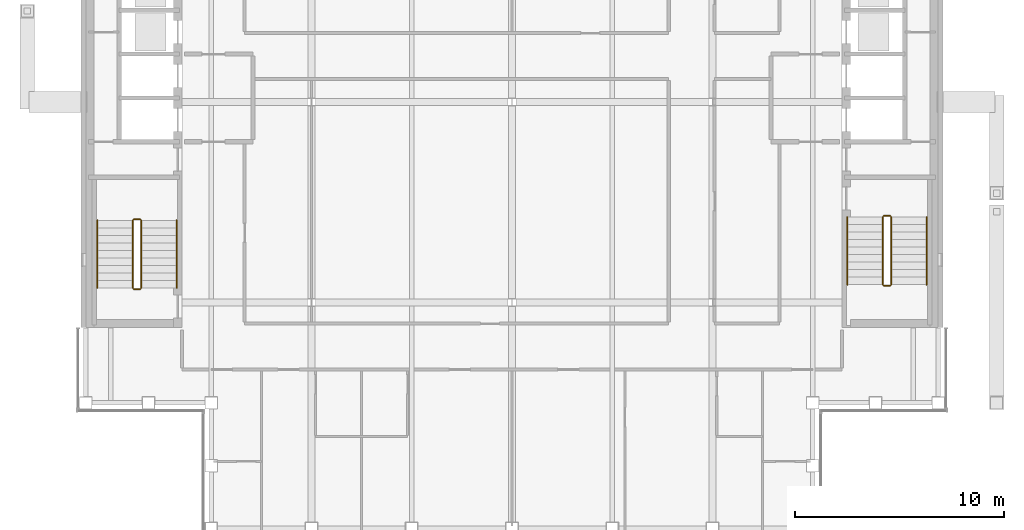
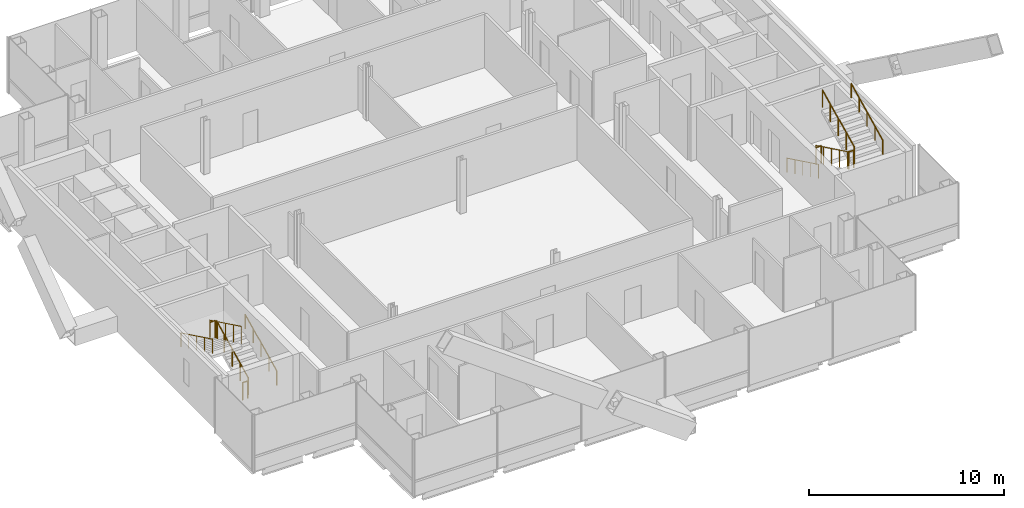
# One storey, part 14 of 15: 12 railings.
"""IFC4 building model written with IfcOpenShell, lengths in metres."""

from ifc_helpers import new_model, si_unit, direction, frame, origin, origin_2d, place, context, subcontext, project, spatial, circle, extrude, material, type_object, element, save


model = new_model("IFC4")

# Units and contexts
model_context = context("Model", 3, precision=1e-05, world=origin(), true_north=direction((0.0, 1.0)))
body_context = subcontext(model_context, "Body", "Model", "MODEL_VIEW")
ifc_project = project(units=[si_unit("LENGTHUNIT", "METRE"), si_unit("AREAUNIT", "SQUARE_METRE"), si_unit("VOLUMEUNIT", "CUBIC_METRE"), si_unit("PLANEANGLEUNIT", "RADIAN"), si_unit("MASSUNIT", "GRAM", prefix="KILO")], contexts=[model_context])

# Site, building, storey
site_placement = place(None, origin())
site = spatial("IfcSite", under=ifc_project, at=site_placement, CompositionType="ELEMENT")
building_placement = place(site_placement, origin())
building = spatial("IfcBuilding", under=site, at=building_placement, Name="Cobrizo Arcos Hotel Tower", CompositionType="ELEMENT")
storey_placement = place(building_placement, frame((0.0, 0.0, 244.5)))
storey = spatial("IfcBuildingStorey", under=building, at=storey_placement, Name="L64", CompositionType="ELEMENT", Elevation=244.5)

# Railings
ifc_material = material(Name="Stainless steel railing", Category="steel")
railing_type_1 = type_object("IfcRailingType", Name="Stair guard 1100", PredefinedType="GUARDRAIL", material=ifc_material)
railing_1_placement = place(storey_placement, frame((-17.75, -8.89990234375, 0.175048828125)))
element("IfcRailing", 1, at=railing_1_placement, inside=storey, type_object=railing_type_1, Name="L64 ST-W stair guard 1", PredefinedType="GUARDRAIL", context=body_context, shape_type="SweptSolid", body=[
    extrude(circle(Radius=0.02392578125, at=origin_2d()), frame((0.0, 0.0, 1.076171875), z_axis=(0.0, 0.899372665325, 0.437182809435), x_axis=(-1.0, 0.0, 0.0)), (0.0, 0.0, 1.0), 3.6025390625),
    extrude(circle(Radius=0.02099609375, at=origin_2d()), origin(), (0.0, 0.0, 1.0), 1.052001953125),
    extrude(circle(Radius=0.02099609375, at=origin_2d()), frame((0.0, 0.81005859375, 0.393798828125)), (0.0, 0.0, 1.0), 1.052001953125),
    extrude(circle(Radius=0.02099609375, at=origin_2d()), frame((0.0, 1.6201171875, 0.78759765625)), (0.0, 0.0, 1.0), 1.052001953125),
    extrude(circle(Radius=0.02099609375, at=origin_2d()), frame((0.0, 2.429931640625, 1.18115234375)), (0.0, 0.0, 1.0), 1.052001953125),
    extrude(circle(Radius=0.02099609375, at=origin_2d()), frame((0.0, 3.239990234375, 1.574951171875)), (0.0, 0.0, 1.0), 1.052001953125),
])
railing_2_placement = place(storey_placement, frame((-17.800048828125, -5.610107421875, 1.75)))
element("IfcRailing", 2, at=railing_2_placement, inside=storey, type_object=railing_type_1, Name="L64 ST-W stair guard 2", PredefinedType="GUARDRAIL", context=body_context, shape_type="SweptSolid", body=[
    extrude(circle(Radius=0.02392578125, at=origin_2d()), frame((0.0, 0.0, 1.076171875), z_axis=(-1.0, 0.0, 0.0), x_axis=(0.0, -1.0, 0.0)), (0.0, 0.0, 1.0), 0.300048828125),
    extrude(circle(Radius=0.02099609375, at=origin_2d()), origin(), (0.0, 0.0, 1.0), 1.052001953125),
    extrude(circle(Radius=0.02099609375, at=origin_2d()), frame((-0.300048828125, 0.0, 0.0)), (0.0, 0.0, 1.0), 1.052001953125),
])
railing_3_placement = place(storey_placement, frame((-18.14990234375, -5.659912109375, 1.925048828125)))
element("IfcRailing", 3, at=railing_3_placement, inside=storey, type_object=railing_type_1, Name="L64 ST-W stair guard 3", PredefinedType="GUARDRAIL", context=body_context, shape_type="SweptSolid", body=[
    extrude(circle(Radius=0.02392578125, at=origin_2d()), frame((0.0, 0.0, 1.076171875), z_axis=(0.0, -0.899372665325, 0.437182809435), x_axis=(1.0, 0.0, 0.0)), (0.0, 0.0, 1.0), 3.6025390625),
    extrude(circle(Radius=0.02099609375, at=origin_2d()), origin(), (0.0, 0.0, 1.0), 1.052001953125),
    extrude(circle(Radius=0.02099609375, at=origin_2d()), frame((0.0, -0.81005859375, 0.393798828125)), (0.0, 0.0, 1.0), 1.052001953125),
    extrude(circle(Radius=0.02099609375, at=origin_2d()), frame((0.0, -1.6201171875, 0.78759765625)), (0.0, 0.0, 1.0), 1.052001953125),
    extrude(circle(Radius=0.02099609375, at=origin_2d()), frame((0.0, -2.429931640625, 1.18115234375)), (0.0, 0.0, 1.0), 1.052001953125),
    extrude(circle(Radius=0.02099609375, at=origin_2d()), frame((0.0, -3.239990234375, 1.574951171875)), (0.0, 0.0, 1.0), 1.052001953125),
])
railing_4_placement = place(storey_placement, frame((-17.800048828125, -8.949951171875, 0.0)))
element("IfcRailing", 4, at=railing_4_placement, inside=storey, type_object=railing_type_1, Name="L64 ST-W stair guard 4", PredefinedType="GUARDRAIL", context=body_context, shape_type="SweptSolid", body=[
    extrude(circle(Radius=0.02392578125, at=origin_2d()), frame((0.0, 0.0, 1.076171875), z_axis=(-1.0, 0.0, 0.0), x_axis=(0.0, -1.0, 0.0)), (0.0, 0.0, 1.0), 0.300048828125),
    extrude(circle(Radius=0.02099609375, at=origin_2d()), origin(), (0.0, 0.0, 1.0), 1.052001953125),
    extrude(circle(Radius=0.02099609375, at=origin_2d()), frame((-0.300048828125, 0.0, 0.0)), (0.0, 0.0, 1.0), 1.052001953125),
])
railing_5_placement = place(storey_placement, frame((17.75, -5.5, 0.175048828125)))
element("IfcRailing", 5, at=railing_5_placement, inside=storey, type_object=railing_type_1, Name="L64 ST-E stair guard 1", PredefinedType="GUARDRAIL", context=body_context, shape_type="SweptSolid", body=[
    extrude(circle(Radius=0.02392578125, at=origin_2d()), frame((0.0, 0.0, 1.076171875), z_axis=(0.0, -0.899372665325, 0.437182809435), x_axis=(1.0, 0.0, 0.0)), (0.0, 0.0, 1.0), 3.6025390625),
    extrude(circle(Radius=0.02099609375, at=origin_2d()), origin(), (0.0, 0.0, 1.0), 1.052001953125),
    extrude(circle(Radius=0.02099609375, at=origin_2d()), frame((0.0, -0.81005859375, 0.393798828125)), (0.0, 0.0, 1.0), 1.052001953125),
    extrude(circle(Radius=0.02099609375, at=origin_2d()), frame((0.0, -1.6201171875, 0.78759765625)), (0.0, 0.0, 1.0), 1.052001953125),
    extrude(circle(Radius=0.02099609375, at=origin_2d()), frame((0.0, -2.429931640625, 1.18115234375)), (0.0, 0.0, 1.0), 1.052001953125),
    extrude(circle(Radius=0.02099609375, at=origin_2d()), frame((0.0, -3.239990234375, 1.574951171875)), (0.0, 0.0, 1.0), 1.052001953125),
])
railing_6_placement = place(storey_placement, frame((17.800048828125, -8.7900390625, 1.75)))
element("IfcRailing", 6, at=railing_6_placement, inside=storey, type_object=railing_type_1, Name="L64 ST-E stair guard 2", PredefinedType="GUARDRAIL", context=body_context, shape_type="SweptSolid", body=[
    extrude(circle(Radius=0.02392578125, at=origin_2d()), frame((0.0, 0.0, 1.076171875), z_axis=(1.0, 0.0, 0.0), x_axis=(0.0, 1.0, 0.0)), (0.0, 0.0, 1.0), 0.300048828125),
    extrude(circle(Radius=0.02099609375, at=origin_2d()), origin(), (0.0, 0.0, 1.0), 1.052001953125),
    extrude(circle(Radius=0.02099609375, at=origin_2d()), frame((0.300048828125, 0.0, 0.0)), (0.0, 0.0, 1.0), 1.052001953125),
])
railing_7_placement = place(storey_placement, frame((18.14990234375, -8.739990234375, 1.925048828125)))
element("IfcRailing", 7, at=railing_7_placement, inside=storey, type_object=railing_type_1, Name="L64 ST-E stair guard 3", PredefinedType="GUARDRAIL", context=body_context, shape_type="SweptSolid", body=[
    extrude(circle(Radius=0.02392578125, at=origin_2d()), frame((0.0, 0.0, 1.076171875), z_axis=(0.0, 0.899372665325, 0.437182809435), x_axis=(-1.0, 0.0, 0.0)), (0.0, 0.0, 1.0), 3.6025390625),
    extrude(circle(Radius=0.02099609375, at=origin_2d()), origin(), (0.0, 0.0, 1.0), 1.052001953125),
    extrude(circle(Radius=0.02099609375, at=origin_2d()), frame((0.0, 0.81005859375, 0.393798828125)), (0.0, 0.0, 1.0), 1.052001953125),
    extrude(circle(Radius=0.02099609375, at=origin_2d()), frame((0.0, 1.6201171875, 0.78759765625)), (0.0, 0.0, 1.0), 1.052001953125),
    extrude(circle(Radius=0.02099609375, at=origin_2d()), frame((0.0, 2.429931640625, 1.18115234375)), (0.0, 0.0, 1.0), 1.052001953125),
    extrude(circle(Radius=0.02099609375, at=origin_2d()), frame((0.0, 3.239990234375, 1.574951171875)), (0.0, 0.0, 1.0), 1.052001953125),
])
railing_8_placement = place(storey_placement, frame((17.800048828125, -5.449951171875, 0.0)))
element("IfcRailing", 8, at=railing_8_placement, inside=storey, type_object=railing_type_1, Name="L64 ST-E stair guard 4", PredefinedType="GUARDRAIL", context=body_context, shape_type="SweptSolid", body=[
    extrude(circle(Radius=0.02392578125, at=origin_2d()), frame((0.0, 0.0, 1.076171875), z_axis=(1.0, 0.0, 0.0), x_axis=(0.0, 1.0, 0.0)), (0.0, 0.0, 1.0), 0.300048828125),
    extrude(circle(Radius=0.02099609375, at=origin_2d()), origin(), (0.0, 0.0, 1.0), 1.052001953125),
    extrude(circle(Radius=0.02099609375, at=origin_2d()), frame((0.300048828125, 0.0, 0.0)), (0.0, 0.0, 1.0), 1.052001953125),
])
railing_type_2 = type_object("IfcRailingType", Name="Stair handrail", PredefinedType="HANDRAIL", material=ifc_material)
railing_9_placement = place(storey_placement, frame((-16.050048828125, -8.89990234375, 0.175048828125)))
element("IfcRailing", 9, at=railing_9_placement, inside=storey, type_object=railing_type_2, Name="L64 ST-W stair handrail 1", PredefinedType="HANDRAIL", context=body_context, shape_type="SweptSolid", body=[
    extrude(circle(Radius=0.02392578125, at=origin_2d()), frame((0.0, 0.0, 0.8759765625), z_axis=(0.0, 0.899372665325, 0.437182809435), x_axis=(-1.0, 0.0, 0.0)), (0.0, 0.0, 1.0), 3.6025390625),
    extrude(circle(Radius=0.02099609375, at=origin_2d()), origin(), (0.0, 0.0, 1.0), 0.851806640625),
    extrude(circle(Radius=0.02099609375, at=origin_2d()), frame((0.0, 0.81005859375, 0.393798828125)), (0.0, 0.0, 1.0), 0.851806640625),
    extrude(circle(Radius=0.02099609375, at=origin_2d()), frame((0.0, 1.6201171875, 0.78759765625)), (0.0, 0.0, 1.0), 0.851806640625),
    extrude(circle(Radius=0.02099609375, at=origin_2d()), frame((0.0, 2.429931640625, 1.18115234375)), (0.0, 0.0, 1.0), 0.851806640625),
    extrude(circle(Radius=0.02099609375, at=origin_2d()), frame((0.0, 3.239990234375, 1.574951171875)), (0.0, 0.0, 1.0), 0.851806640625),
])
for number, where, name in (
    (10, (-19.85009765625, -5.659912109375, 1.925048828125), "L64 ST-W stair handrail 2"),
    (11, (16.050048828125, -5.5, 0.175048828125), "L64 ST-E stair handrail 1"),
):
    element("IfcRailing", number, at=place(storey_placement, frame(where)), inside=storey, type_object=railing_type_2, Name=name, PredefinedType="HANDRAIL", context=body_context, shape_type="SweptSolid", body=[
        extrude(circle(Radius=0.02392578125, at=origin_2d()), frame((0.0, 0.0, 0.8759765625), z_axis=(0.0, -0.899372665325, 0.437182809435), x_axis=(1.0, 0.0, 0.0)), (0.0, 0.0, 1.0), 3.6025390625),
        extrude(circle(Radius=0.02099609375, at=origin_2d()), origin(), (0.0, 0.0, 1.0), 0.851806640625),
        extrude(circle(Radius=0.02099609375, at=origin_2d()), frame((0.0, -0.81005859375, 0.393798828125)), (0.0, 0.0, 1.0), 0.851806640625),
        extrude(circle(Radius=0.02099609375, at=origin_2d()), frame((0.0, -1.6201171875, 0.78759765625)), (0.0, 0.0, 1.0), 0.851806640625),
        extrude(circle(Radius=0.02099609375, at=origin_2d()), frame((0.0, -2.429931640625, 1.18115234375)), (0.0, 0.0, 1.0), 0.851806640625),
        extrude(circle(Radius=0.02099609375, at=origin_2d()), frame((0.0, -3.239990234375, 1.574951171875)), (0.0, 0.0, 1.0), 0.851806640625),
    ])
railing_10_placement = place(storey_placement, frame((19.85009765625, -8.739990234375, 1.925048828125)))
element("IfcRailing", 12, at=railing_10_placement, inside=storey, type_object=railing_type_2, Name="L64 ST-E stair handrail 2", PredefinedType="HANDRAIL", context=body_context, shape_type="SweptSolid", body=[
    extrude(circle(Radius=0.02392578125, at=origin_2d()), frame((0.0, 0.0, 0.8759765625), z_axis=(0.0, 0.899372665325, 0.437182809435), x_axis=(-1.0, 0.0, 0.0)), (0.0, 0.0, 1.0), 3.6025390625),
    extrude(circle(Radius=0.02099609375, at=origin_2d()), origin(), (0.0, 0.0, 1.0), 0.851806640625),
    extrude(circle(Radius=0.02099609375, at=origin_2d()), frame((0.0, 0.81005859375, 0.393798828125)), (0.0, 0.0, 1.0), 0.851806640625),
    extrude(circle(Radius=0.02099609375, at=origin_2d()), frame((0.0, 1.6201171875, 0.78759765625)), (0.0, 0.0, 1.0), 0.851806640625),
    extrude(circle(Radius=0.02099609375, at=origin_2d()), frame((0.0, 2.429931640625, 1.18115234375)), (0.0, 0.0, 1.0), 0.851806640625),
    extrude(circle(Radius=0.02099609375, at=origin_2d()), frame((0.0, 3.239990234375, 1.574951171875)), (0.0, 0.0, 1.0), 0.851806640625),
])

save(model, "model.ifc")
